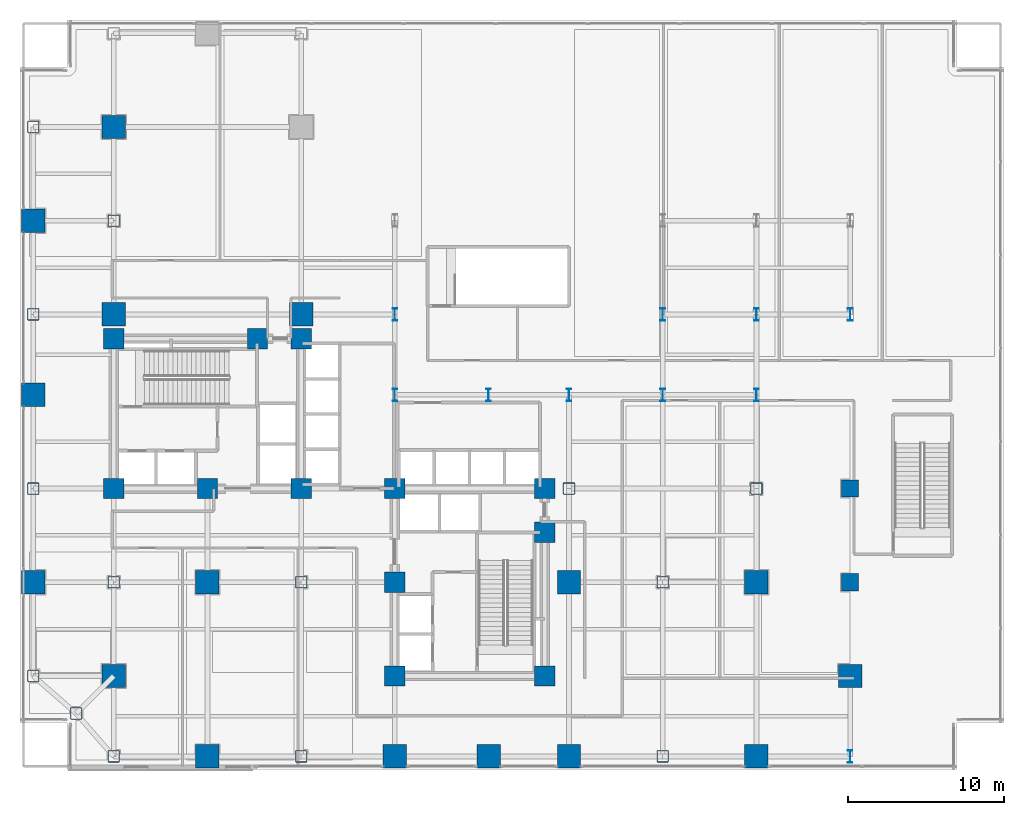
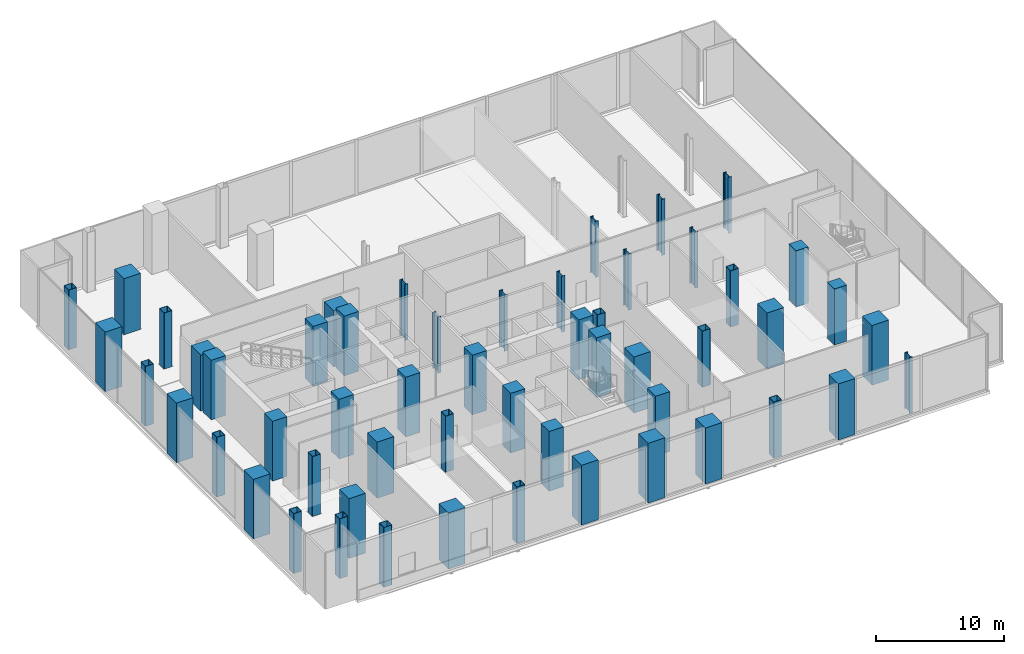
# One storey, part 1 of 27: 54 columns.
"""IFC4 building model written with IfcOpenShell, lengths in metres."""

from ifc_helpers import new_model, si_unit, direction, frame, origin, origin_2d, place, context, subcontext, project, spatial, rectangle, hollow_rectangle, i_section, extrude, material, material_profile, profile_set, type_object, element, save


model = new_model("IFC4")

# Units and contexts
model_context = context("Model", 3, precision=1e-05, world=origin(), true_north=direction((0.0, 1.0)))
body_context = subcontext(model_context, "Body", "Model", "MODEL_VIEW")
ifc_project = project(units=[si_unit("LENGTHUNIT", "METRE"), si_unit("AREAUNIT", "SQUARE_METRE"), si_unit("VOLUMEUNIT", "CUBIC_METRE"), si_unit("PLANEANGLEUNIT", "RADIAN"), si_unit("MASSUNIT", "GRAM", prefix="KILO"), si_unit("THERMODYNAMICTEMPERATUREUNIT", "KELVIN"), si_unit("POWERUNIT", "WATT")], contexts=[model_context])

# Site, building, storey
site_placement = place(None, origin())
site = spatial("IfcSite", under=ifc_project, at=site_placement, CompositionType="ELEMENT")
building_placement = place(site_placement, origin())
building = spatial("IfcBuilding", under=site, at=building_placement, Name="Svarakhadi Broadcast Tower", CompositionType="ELEMENT")
storey_placement = place(building_placement, frame((0.0, 0.0, 21.89990234375)))
storey = spatial("IfcBuildingStorey", under=building, at=storey_placement, Name="L04", CompositionType="ELEMENT", Elevation=21.89990234375)

# Columns
ifc_material_1 = material(Name="Steel S460ML (IS 2062 E450BR)", Category="steel")
ifc_material_profile_1 = material_profile(ifc_material_1, hollow_rectangle(XDim=0.75, YDim=0.75, WallThickness=0.034912109375, InnerFilletRadius=0.034912109375, OuterFilletRadius=0.050048828125, at=origin_2d()), Name="BOX 750x750x35")
ifc_profile_set_1 = profile_set([ifc_material_profile_1], Name="Steel S460ML (IS 2062 E450BR)")
column_type_1 = type_object("IfcColumnType", Name="Col_BOX750", PredefinedType="COLUMN", material=ifc_profile_set_1)
for number, where, z_axis, x_axis, name in (
    (1, (3.60009765625, 3.60009765625, 0.0), (0.0, 0.0, 1.0), (1.0, 0.0, 0.0), "L04 Column G01"),
    (2, (0.85009765625, 6.0, 0.0), (0.0, 0.0, 1.0), (1.0, 0.0, 0.0), "L04 Column G03"),
    (3, (0.85009765625, 18.0, 0.0), (0.0, 0.0, 1.0), (1.0, 0.0, 0.0), "L04 Column G05"),
    (4, (0.85009765625, 29.14990234375, 0.0), (0.0, 0.0, 1.0), (1.0, 0.0, 0.0), "L04 Column G07"),
    (5, (0.85009765625, 41.14990234375, 0.0), (0.0, 0.0, 1.0), (1.0, 0.0, 0.0), "L04 Column G09"),
    (6, (6.0, 0.85009765625, 0.0), (0.0, 0.0, 1.0), (1.0, 0.0, 0.0), "L04 Column G11"),
    (7, (6.0, 12.0, 0.0), (0.0, 0.0, 1.0), (1.0, 0.0, 0.0), "L04 Column G13"),
):
    element("IfcColumn", number, at=place(storey_placement, frame(where, z_axis=z_axis, x_axis=x_axis)), inside=storey, type_object=column_type_1, Name=name, PredefinedType="COLUMN", context=body_context, shape_type="SweptSolid", body=[
        extrude(hollow_rectangle(XDim=0.75, YDim=0.75, WallThickness=0.034912109375, InnerFilletRadius=0.034912109375, OuterFilletRadius=0.050048828125, at=origin_2d()), origin(), (0.0, 0.0, 1.0), 5.7001953125),
    ])
for number, where, z_axis, x_axis, name in (
    (8, (6.0, 35.14990234375, 0.0), (0.0, 0.0, 1.0), (1.0, 0.0, 0.0), "L04 Column G15"),
    (9, (18.0, 0.85009765625, 0.0), (0.0, 0.0, 1.0), (1.0, 0.0, 0.0), "L04 Column G25"),
    (10, (18.0, 12.0, 0.0), (0.0, 0.0, 1.0), (1.0, 0.0, 0.0), "L04 Column G27"),
    (11, (35.14990234375, 18.0, 0.0), (0.0, 0.0, 1.0), (1.0, 0.0, 0.0), "L04 Column G41"),
    (12, (41.14990234375, 0.85009765625, 0.0), (0.0, 0.0, 1.0), (1.0, 0.0, 0.0), "L04 Column G43"),
    (13, (41.14990234375, 12.0, 0.0), (0.0, 0.0, 1.0), (1.0, 0.0, 0.0), "L04 Column G45"),
    (14, (47.14990234375, 18.0, 0.0), (0.0, 0.0, 1.0), (1.0, 0.0, 0.0), "L04 Column G53"),
):
    element("IfcColumn", number, at=place(storey_placement, frame(where, z_axis=z_axis, x_axis=x_axis)), inside=storey, type_object=column_type_1, Name=name, PredefinedType="COLUMN", context=body_context, shape_type="SweptSolid", body=[
        extrude(hollow_rectangle(XDim=0.75, YDim=0.75, WallThickness=0.034912109375, InnerFilletRadius=0.034912109375, OuterFilletRadius=0.050048828125, at=origin_2d()), origin(), (0.0, 0.0, 1.0), 5.35009765625),
    ])
ifc_material_2 = material(Name="Concrete C50/60 (IS 456 M60)", Category="concrete")
ifc_material_profile_2 = material_profile(ifc_material_2, rectangle(XDim=1.10009765625, YDim=1.10009765625, at=origin_2d()), Name="RC 1100x1100")
ifc_profile_set_2 = profile_set([ifc_material_profile_2], Name="Concrete C50/60 (IS 456 M60)")
column_type_2 = type_object("IfcColumnType", Name="Col_RC1100", PredefinedType="COLUMN", material=ifc_profile_set_2)
for number, where, z_axis, x_axis, name in (
    (15, (53.14990234375, 12.0, 0.0), (0.0, 0.0, 1.0), (1.0, 0.0, 0.0), "L04 Zone-1 East Stack Column ZT02"),
    (16, (53.14990234375, 18.0, 0.0), (0.0, 0.0, 1.0), (1.0, 0.0, 0.0), "L04 Zone-1 East Stack Column ZT03"),
):
    element("IfcColumn", number, at=place(storey_placement, frame(where, z_axis=z_axis, x_axis=x_axis)), inside=storey, type_object=column_type_2, Name=name, PredefinedType="COLUMN", context=body_context, shape_type="SweptSolid", body=[
        extrude(rectangle(XDim=1.10009765625, YDim=1.10009765625, at=origin_2d()), origin(), (0.0, 0.0, 1.0), 5.35009765625),
    ])
ifc_material_3 = material(Name="Concrete C60/75 (IS 456 M70)", Category="concrete")
ifc_material_profile_3 = material_profile(ifc_material_3, rectangle(XDim=1.300048828125, YDim=1.300048828125, at=origin_2d()), Name="RC 1300x1300")
ifc_profile_set_3 = profile_set([ifc_material_profile_3], Name="Concrete C60/75 (IS 456 M70)")
column_type_3 = type_object("IfcColumnType", Name="Col_RC1300", PredefinedType="COLUMN", material=ifc_profile_set_3)
for number, where, z_axis, x_axis, name in (
    (17, (6.0, 18.0, 0.0), (0.0, 0.0, 1.0), (1.0, 0.0, 0.0), "L04 Column CW1"),
    (18, (12.0, 18.0, 0.0), (0.0, 0.0, 1.0), (1.0, 0.0, 0.0), "L04 Column CW2"),
    (19, (18.0, 18.0, 0.0), (0.0, 0.0, 1.0), (1.0, 0.0, 0.0), "L04 Column CW3"),
    (20, (6.0, 27.60009765625, 0.0), (0.0, 0.0, 1.0), (1.0, 0.0, 0.0), "L04 Column CW4"),
    (21, (15.199951171875, 27.60009765625, 0.0), (0.0, 0.0, 1.0), (1.0, 0.0, 0.0), "L04 Column CW5"),
    (22, (18.0, 27.60009765625, 0.0), (0.0, 0.0, 1.0), (1.0, 0.0, 0.0), "L04 Column CW6"),
    (23, (24.0, 6.0, 0.0), (0.0, 0.0, 1.0), (1.0, 0.0, 0.0), "L04 Column CE1"),
    (24, (24.0, 12.0, 0.0), (0.0, 0.0, 1.0), (1.0, 0.0, 0.0), "L04 Column CE2"),
    (25, (24.0, 18.0, 0.0), (0.0, 0.0, 1.0), (1.0, 0.0, 0.0), "L04 Column CE3"),
    (26, (33.60009765625, 6.0, 0.0), (0.0, 0.0, 1.0), (1.0, 0.0, 0.0), "L04 Column CE4"),
    (27, (33.60009765625, 15.199951171875, 0.0), (0.0, 0.0, 1.0), (1.0, 0.0, 0.0), "L04 Column CE5"),
    (28, (33.60009765625, 18.0, 0.0), (0.0, 0.0, 1.0), (1.0, 0.0, 0.0), "L04 Column CE6"),
):
    element("IfcColumn", number, at=place(storey_placement, frame(where, z_axis=z_axis, x_axis=x_axis)), inside=storey, type_object=column_type_3, Name=name, PredefinedType="COLUMN", context=body_context, shape_type="SweptSolid", body=[
        extrude(rectangle(XDim=1.300048828125, YDim=1.300048828125, at=origin_2d()), origin(), (0.0, 0.0, 1.0), 5.7001953125),
    ])
ifc_material_profile_4 = material_profile(ifc_material_3, rectangle(XDim=1.5, YDim=1.5, at=origin_2d()), Name="RC 1500x1500")
ifc_profile_set_4 = profile_set([ifc_material_profile_4], Name="Concrete C60/75 (IS 456 M70)")
column_type_4 = type_object("IfcColumnType", Name="Col_RC1500", PredefinedType="COLUMN", material=ifc_profile_set_4)
for number, where, z_axis, x_axis, name in (
    (29, (0.85009765625, 12.0, 0.0), (0.0, 0.0, 1.0), (1.0, 0.0, 0.0), "L04 Column G04"),
    (30, (0.85009765625, 24.0, 0.0), (0.0, 0.0, 1.0), (1.0, 0.0, 0.0), "L04 Column G06"),
    (31, (0.85009765625, 35.14990234375, 0.0), (0.0, 0.0, 1.0), (1.0, 0.0, 0.0), "L04 Column G08"),
    (32, (6.0, 6.0, 0.0), (0.0, 0.0, 1.0), (1.0, 0.0, 0.0), "L04 Column G12"),
):
    element("IfcColumn", number, at=place(storey_placement, frame(where, z_axis=z_axis, x_axis=x_axis)), inside=storey, type_object=column_type_4, Name=name, PredefinedType="COLUMN", context=body_context, shape_type="SweptSolid", body=[
        extrude(rectangle(XDim=1.5, YDim=1.5, at=origin_2d()), origin(), (0.0, 0.0, 1.0), 5.7001953125),
    ])
for number, where, z_axis, x_axis, name in (
    (33, (6.0, 29.14990234375, 0.0), (0.0, 0.0, 1.0), (1.0, 0.0, 0.0), "L04 Column G14"),
    (34, (6.0, 41.14990234375, 0.0), (0.0, 0.0, 1.0), (1.0, 0.0, 0.0), "L04 Column G16"),
    (35, (12.0, 0.85009765625, 0.0), (0.0, 0.0, 1.0), (1.0, 0.0, 0.0), "L04 Column G18"),
    (36, (12.0, 12.0, 0.0), (0.0, 0.0, 1.0), (1.0, 0.0, 0.0), "L04 Column G20"),
    (37, (18.0, 29.14990234375, 0.0), (0.0, 0.0, 1.0), (1.0, 0.0, 0.0), "L04 Column G28"),
):
    element("IfcColumn", number, at=place(storey_placement, frame(where, z_axis=z_axis, x_axis=x_axis)), inside=storey, type_object=column_type_4, Name=name, PredefinedType="COLUMN", context=body_context, shape_type="SweptSolid", body=[
        extrude(rectangle(XDim=1.5, YDim=1.5, at=origin_2d()), origin(), (0.0, 0.0, 1.0), 5.35009765625),
    ])
for number, where, z_axis, x_axis, name in (
    (38, (24.0, 0.85009765625, 0.0), (0.0, 0.0, 1.0), (1.0, 0.0, 0.0), "L04 Column G32"),
    (39, (30.0, 0.85009765625, 0.0), (0.0, 0.0, 1.0), (1.0, 0.0, 0.0), "L04 Column G36"),
):
    element("IfcColumn", number, at=place(storey_placement, frame(where, z_axis=z_axis, x_axis=x_axis)), inside=storey, type_object=column_type_4, Name=name, PredefinedType="COLUMN", context=body_context, shape_type="SweptSolid", body=[
        extrude(rectangle(XDim=1.5, YDim=1.5, at=origin_2d()), origin(), (0.0, 0.0, 1.0), 5.7001953125),
    ])
for number, where, z_axis, x_axis, name in (
    (40, (35.14990234375, 0.85009765625, 0.0), (0.0, 0.0, 1.0), (1.0, 0.0, 0.0), "L04 Column G38"),
    (41, (35.14990234375, 12.0, 0.0), (0.0, 0.0, 1.0), (1.0, 0.0, 0.0), "L04 Column G40"),
    (42, (47.14990234375, 0.85009765625, 0.0), (0.0, 0.0, 1.0), (1.0, 0.0, 0.0), "L04 Column G50"),
    (43, (47.14990234375, 12.0, 0.0), (0.0, 0.0, 1.0), (1.0, 0.0, 0.0), "L04 Column G52"),
):
    element("IfcColumn", number, at=place(storey_placement, frame(where, z_axis=z_axis, x_axis=x_axis)), inside=storey, type_object=column_type_4, Name=name, PredefinedType="COLUMN", context=body_context, shape_type="SweptSolid", body=[
        extrude(rectangle(XDim=1.5, YDim=1.5, at=origin_2d()), origin(), (0.0, 0.0, 1.0), 5.35009765625),
    ])
column_placement = place(storey_placement, frame((53.14990234375, 6.0, 0.0), z_axis=(0.0, 0.0, 1.0), x_axis=(1.0, 0.0, 0.0)))
element("IfcColumn", 44, at=column_placement, inside=storey, type_object=column_type_4, Name="L04 Column G58", PredefinedType="COLUMN", context=body_context, shape_type="SweptSolid", body=[
    extrude(rectangle(XDim=1.5, YDim=1.5, at=origin_2d()), origin(), (0.0, 0.0, 1.0), 5.7001953125),
])
ifc_material_profile_5 = material_profile(ifc_material_1, i_section(OverallWidth=0.300048828125, OverallDepth=0.800048828125, WebThickness=0.017578125, FlangeThickness=0.032958984375, FilletRadius=0.030029296875, at=origin_2d()), Name="WPB 800x300x262")
ifc_profile_set_5 = profile_set([ifc_material_profile_5], Name="Steel S460ML (IS 2062 E450BR)")
column_type_5 = type_object("IfcColumnType", Name="Col_WPB800", PredefinedType="COLUMN", material=ifc_profile_set_5)
for number, where, z_axis, x_axis, name in (
    (45, (24.0, 24.0, 0.0), (0.0, 0.0, 1.0), (1.0, 0.0, 0.0), "L04 Column G33"),
    (46, (24.0, 29.14990234375, 0.0), (0.0, 0.0, 1.0), (1.0, 0.0, 0.0), "L04 Column G34"),
    (47, (30.0, 24.0, 0.0), (0.0, 0.0, 1.0), (1.0, 0.0, 0.0), "L04 Column G37"),
    (48, (35.14990234375, 24.0, 0.0), (0.0, 0.0, 1.0), (1.0, 0.0, 0.0), "L04 Column G42"),
    (49, (41.14990234375, 24.0, 0.0), (0.0, 0.0, 1.0), (1.0, 0.0, 0.0), "L04 Column G47"),
    (50, (41.14990234375, 29.14990234375, 0.0), (0.0, 0.0, 1.0), (1.0, 0.0, 0.0), "L04 Column G48"),
    (51, (47.14990234375, 24.0, 0.0), (0.0, 0.0, 1.0), (1.0, 0.0, 0.0), "L04 Column G54"),
    (52, (47.14990234375, 29.14990234375, 0.0), (0.0, 0.0, 1.0), (1.0, 0.0, 0.0), "L04 Column G55"),
    (53, (53.14990234375, 0.85009765625, 0.0), (0.0, 0.0, 1.0), (1.0, 0.0, 0.0), "L04 Column G57"),
    (54, (53.14990234375, 29.14990234375, 0.0), (0.0, 0.0, 1.0), (1.0, 0.0, 0.0), "L04 Column G59"),
):
    element("IfcColumn", number, at=place(storey_placement, frame(where, z_axis=z_axis, x_axis=x_axis)), inside=storey, type_object=column_type_5, Name=name, PredefinedType="COLUMN", context=body_context, shape_type="SweptSolid", body=[
        extrude(i_section(OverallWidth=0.300048828125, OverallDepth=0.800048828125, WebThickness=0.017578125, FlangeThickness=0.032958984375, FilletRadius=0.030029296875, at=origin_2d()), origin(), (0.0, 0.0, 1.0), 5.35009765625),
    ])

save(model, "model.ifc")
